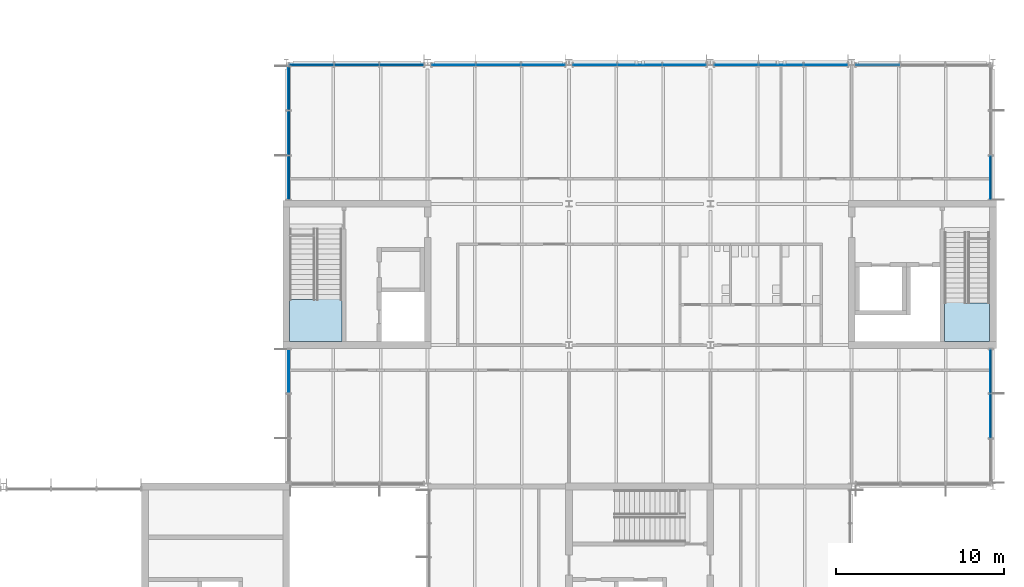
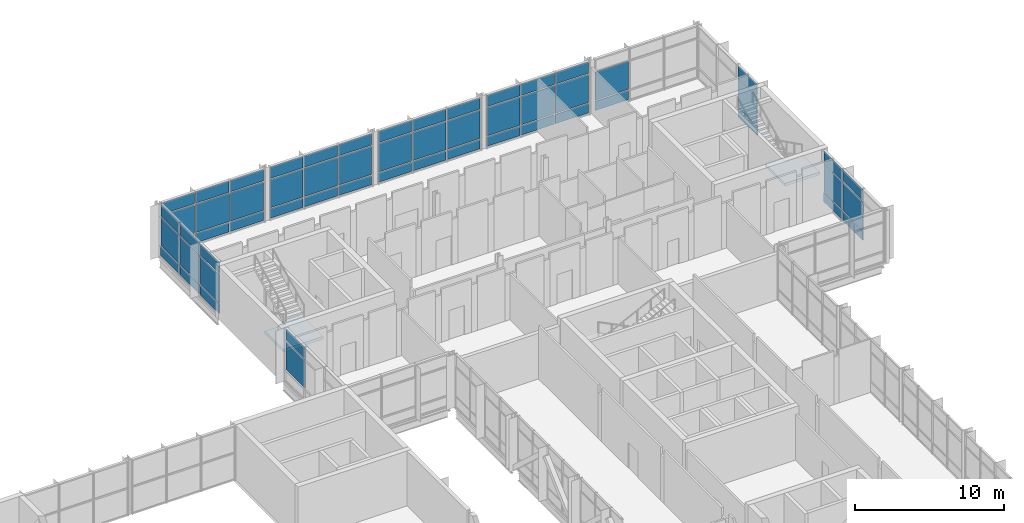
# One storey, part 45 of 89: 58 plates, 2 slabs, 11 elements without a shape of their own.
"""IFC4 building model written with IfcOpenShell, lengths in metres."""

import ifcopenshell
import ifcopenshell.guid

model = None  # the IFC model being written
_history = None  # IfcOwnerHistory: only IFC2X3 demands one
_inside = {}  # id of a spatial element -> (the spatial element, [elements in it])
_under = {}  # id of a project, library or spatial element -> (it, [spatial elements below it])
_declared = {}  # id of a project -> (the project, [libraries it declares])
_typed = {}  # id of a type object -> (the type object, [elements of that type])
_made_of = {}  # id of a material, layer set ... -> (it, [elements and type objects made of it])


def new_model(schema):
    """Start an empty IFC model of exactly this schema.

    Asked for "IFC4X3", IfcOpenShell would pick the latest addendum, in which some entities
    have other attributes; the version numbers below select the first issue.
    IFC2X3 requires an IfcOwnerHistory on every rooted entity: one is made here for all.
    """
    global model, _history
    if schema == "IFC4X3":
        model = ifcopenshell.file(schema_version=(4, 3, 0, 0))
    else:
        model = ifcopenshell.file(schema=schema)
    _inside.clear()
    _under.clear()
    _declared.clear()
    _typed.clear()
    _made_of.clear()
    _history = None
    if model.schema == "IFC2X3":
        org = make("IfcOrganization", Name="unknown")
        user = make(
            "IfcPersonAndOrganization",
            ThePerson=make("IfcPerson", FamilyName="unknown"),
            TheOrganization=org,
        )
        app = make(
            "IfcApplication",
            ApplicationDeveloper=org,
            Version="unknown",
            ApplicationFullName="unknown",
            ApplicationIdentifier="unknown",
        )
        _history = make(
            "IfcOwnerHistory",
            OwningUser=user,
            OwningApplication=app,
            ChangeAction="ADDED",
            CreationDate=0,
        )
    return model


def make(cls, **values):
    """One entity of the class cls with the attributes given. An attribute that is None is left unset."""
    return model.create_entity(
        cls, **{name: value for name, value in values.items() if value is not None}
    )


def rooted(cls, **values):
    """An entity with a GlobalId (a new one), such as an element, a storey or a relation."""
    return make(cls, GlobalId=ifcopenshell.guid.new(), OwnerHistory=_history, **values)


def si_unit(unit_type, name, prefix=None):
    """IfcSIUnit, for example si_unit("LENGTHUNIT", "METRE", prefix="MILLI")."""
    return make("IfcSIUnit", UnitType=unit_type, Prefix=prefix, Name=name)


def assignment(units):
    """IfcUnitAssignment: the units of a project."""
    return None if units is None else make("IfcUnitAssignment", Units=units)


def point(xyz):
    """IfcCartesianPoint."""
    return None if xyz is None else make("IfcCartesianPoint", Coordinates=xyz)


def direction(xyz):
    """IfcDirection."""
    return None if xyz is None else make("IfcDirection", DirectionRatios=xyz)


def frame(location, z_axis=None, x_axis=None):
    """IfcAxis2Placement3D, a coordinate frame: its origin and axes. An axis left out is left unset."""
    return make(
        "IfcAxis2Placement3D",
        Location=point(location),
        Axis=direction(z_axis),
        RefDirection=direction(x_axis),
    )


def frame_2d(location, x_axis=None):
    """IfcAxis2Placement2D, a coordinate frame in the plane: its origin and x axis."""
    return make(
        "IfcAxis2Placement2D", Location=point(location), RefDirection=direction(x_axis)
    )


def origin():
    """The frame at (0, 0, 0) with its axes left unset."""
    return frame((0.0, 0.0, 0.0))


def origin_2d():
    """The frame at (0, 0) in the plane with its x axis left unset."""
    return frame_2d((0.0, 0.0))


def place(relative_to, where):
    """IfcLocalPlacement: puts the frame where relative to a parent placement (None: the world)."""
    return make(
        "IfcLocalPlacement", PlacementRelTo=relative_to, RelativePlacement=where
    )


def context(
    kind, dimensions, precision=None, world=None, true_north=None, identifier=None
):
    """IfcGeometricRepresentationContext, for example the 3D "Model" context."""
    return make(
        "IfcGeometricRepresentationContext",
        ContextIdentifier=identifier,
        ContextType=kind,
        CoordinateSpaceDimension=dimensions,
        Precision=precision,
        WorldCoordinateSystem=world,
        TrueNorth=true_north,
    )


def subcontext(parent, identifier, kind, view, scale=None):
    """IfcGeometricRepresentationSubContext, for example "Body" below "Model"."""
    return make(
        "IfcGeometricRepresentationSubContext",
        ContextIdentifier=identifier,
        ContextType=kind,
        ParentContext=parent,
        TargetScale=scale,
        TargetView=view,
    )


def project(units=None, contexts=None):
    """IfcProject with its units and contexts."""
    return rooted(
        "IfcProject",
        Name="project",
        RepresentationContexts=contexts,
        UnitsInContext=assignment(units),
    )


def spatial(cls, under=None, at=None, **own):
    """A site, building, storey or space (cls), placed at a placement, below another one or the project."""
    s = rooted(cls, ObjectPlacement=at, **own)
    if under is not None:
        _under.setdefault(under.id(), (under, []))[1].append(s)
    return s


def polyline(points):
    """IfcPolyline through the points."""
    return make("IfcPolyline", Points=[point(p) for p in points])


def profile(cls, at=None, kind="AREA", **sizes):
    """A parametric profile (cls). Its sizes go by their IFC names, for example OverallWidth=200.0."""
    return make(cls, ProfileType=kind, Position=at, **sizes)


def rectangle(**sizes):
    """IfcRectangleProfileDef."""
    return profile("IfcRectangleProfileDef", **sizes)


def outline(outer, holes=None, kind="AREA"):
    """IfcArbitraryClosedProfileDef: a profile drawn as a closed curve; with holes, ...WithVoids."""
    if holes is None:
        return make("IfcArbitraryClosedProfileDef", ProfileType=kind, OuterCurve=outer)
    return make(
        "IfcArbitraryProfileDefWithVoids",
        ProfileType=kind,
        OuterCurve=outer,
        InnerCurves=holes,
    )


def extrude(swept, where, along, depth):
    """IfcExtrudedAreaSolid: the profile swept, set in the frame where, extruded along a direction by depth."""
    return make(
        "IfcExtrudedAreaSolid",
        SweptArea=swept,
        Position=where,
        ExtrudedDirection=direction(along),
        Depth=depth,
    )


def shape(context_of_items, identifier, shape_type, items):
    """IfcShapeRepresentation: the items that make up one representation, for example the "Body"."""
    return make(
        "IfcShapeRepresentation",
        ContextOfItems=context_of_items,
        RepresentationIdentifier=identifier,
        RepresentationType=shape_type,
        Items=items,
    )


def material(Name=None, Category=None):
    """IfcMaterial."""
    return make("IfcMaterial", Name=Name, Category=Category)


def layer(
    of_material, thickness, ventilated=None, Name=None, Category=None, Priority=None
):
    """IfcMaterialLayer: one layer of a wall or slab, of a material (None: an air gap)."""
    return make(
        "IfcMaterialLayer",
        Material=of_material,
        LayerThickness=thickness,
        IsVentilated=ventilated,
        Name=Name,
        Category=Category,
        Priority=Priority,
    )


def layer_set(layers, Name=None):
    """IfcMaterialLayerSet."""
    return make("IfcMaterialLayerSet", MaterialLayers=layers, LayerSetName=Name)


def made_of(thing, what):
    """Note that an element or type object is made of a material, layer set ...; save() writes the relation."""
    if what is not None:
        _made_of.setdefault(what.id(), (what, []))[1].append(thing)
    return thing


def type_object(cls, material=None, **own):
    """A type object (cls), such as IfcWallType, which elements share."""
    return made_of(rooted(cls, **own), material)


def element(
    cls,
    number,
    at=None,
    inside=None,
    cuts=None,
    type_object=None,
    material=None,
    context=None,
    identifier="Body",
    shape_type=None,
    held_by="IfcProductDefinitionShape",
    body=None,
    shapes=None,
    **own,
):
    """One element of the class cls, such as IfcWall. Its Tag is "e" and its number.

    at: its placement. inside: the storey or other place that contains it. cuts: it is an
    opening in that element (IfcRelVoidsElement). A single representation is given by context,
    identifier, shape_type and body (its items); several are given by shapes. held_by: the class
    of the entity that holds the representations. save() writes the other relations.
    """
    e = rooted(cls, Tag="e%d" % number, ObjectPlacement=at, **own)
    if body is not None:
        shapes = [shape(context, identifier, shape_type, body)]
    if shapes is not None:
        e.Representation = make(held_by, Representations=shapes)
    if inside is not None:
        _inside.setdefault(inside.id(), (inside, []))[1].append(e)
    if cuts is not None:
        rooted(
            "IfcRelVoidsElement", RelatingBuildingElement=cuts, RelatedOpeningElement=e
        )
    if type_object is not None:
        _typed.setdefault(type_object.id(), (type_object, []))[1].append(e)
    return made_of(e, material)


def aggregate(whole, parts):
    """IfcRelAggregates: a whole, such as a stair, and the parts it consists of."""
    return rooted("IfcRelAggregates", RelatingObject=whole, RelatedObjects=parts)


def save(model, path):
    """Write the relations noted so far, then the file.

    IfcRelAggregates (storeys below a building ...), IfcRelContainedInSpatialStructure (elements
    in a storey), IfcRelDefinesByType, IfcRelAssociatesMaterial and IfcRelDeclares: one each for
    every whole, place, type object, material and project.
    """
    for whole, parts in _under.values():
        aggregate(whole, parts)
    for where, things in _inside.values():
        rooted(
            "IfcRelContainedInSpatialStructure",
            RelatedElements=things,
            RelatingStructure=where,
        )
    for kind, things in _typed.values():
        rooted("IfcRelDefinesByType", RelatedObjects=things, RelatingType=kind)
    for what, things in _made_of.values():
        rooted("IfcRelAssociatesMaterial", RelatedObjects=things, RelatingMaterial=what)
    for by, libraries in _declared.values():
        rooted("IfcRelDeclares", RelatingContext=by, RelatedDefinitions=libraries)
    model.write(path)


model = new_model("IFC4")

# Units and contexts
model_context = context("Model", 3, precision=1e-05, world=origin(), true_north=direction((0.0, 1.0)))
body_context = subcontext(model_context, "Body", "Model", "MODEL_VIEW")
ifc_project = project(units=[si_unit("LENGTHUNIT", "METRE"), si_unit("AREAUNIT", "SQUARE_METRE"), si_unit("VOLUMEUNIT", "CUBIC_METRE"), si_unit("PLANEANGLEUNIT", "RADIAN"), si_unit("MASSUNIT", "GRAM", prefix="KILO")], contexts=[model_context])

# Site, building, storey
site_placement = place(None, origin())
site = spatial("IfcSite", under=ifc_project, at=site_placement, CompositionType="ELEMENT")
building_placement = place(site_placement, origin())
building = spatial("IfcBuilding", under=site, at=building_placement, Name="Hlaing Beacon Police Headquarters", CompositionType="ELEMENT")
storey_placement = place(building_placement, frame((0.0, 0.0, 9.89990234375)))
storey = spatial("IfcBuildingStorey", under=building, at=storey_placement, Name="L02", CompositionType="ELEMENT", Elevation=9.89990234375)

# Curtain wall, plate
ifc_material_1 = material(Name="Aluminium frame with solar control glazing", Category="aluminium")
curtain_wall_type_1 = type_object("IfcCurtainWallType", Name="Structural glazed gable wall 8.06 x 4.37", PredefinedType="NOTDEFINED", material=ifc_material_1)
curtain_wall_1_placement = place(storey_placement, origin())
curtain_wall_1 = element("IfcCurtainWall", 1, at=curtain_wall_1_placement, inside=storey, type_object=curtain_wall_type_1, Name="ENV-CW-L02-N022", PredefinedType="NOTDEFINED")
ifc_material_2 = material(Name="Insulated aluminium spandrel", Category="aluminium")
ifc_layer_1 = layer(ifc_material_2, 0.0400390625)
ifc_layer_set_1 = layer_set([ifc_layer_1], Name="Insulated aluminium spandrel")
plate_type_1 = type_object("IfcPlateType", Name="Insulated spandrel panel 40", PredefinedType="CURTAIN_PANEL", material=ifc_layer_set_1)
plate_1_placement = place(storey_placement, frame((127.549560546875, 92.25, 0.10009765625), z_axis=(0.0, 0.0, 1.0), x_axis=(-1.0, 0.0, 0.0)))
plate_1 = element("IfcPlate", 2, at=plate_1_placement, type_object=plate_type_1, Name="CW-L02-N022 panel 3.1", PredefinedType="CURTAIN_PANEL", context=body_context, shape_type="SweptSolid", body=[
    extrude(rectangle(XDim=2.568115234375, YDim=0.0400390625, at=origin_2d()), origin(), (0.0, 0.0, 1.0), 0.75),
])

# Curtain wall, plates
ifc_material_3 = material(Name="Aluminium frame with solar control glazing", Category="aluminium")
curtain_wall_type_2 = type_object("IfcCurtainWallType", Name="Structural glazed gable wall 8.03 x 4.37", PredefinedType="NOTDEFINED", material=ifc_material_3)
curtain_wall_2_placement = place(storey_placement, origin())
curtain_wall_2 = element("IfcCurtainWall", 3, at=curtain_wall_2_placement, inside=storey, type_object=curtain_wall_type_2, Name="ENV-CW-L02-N023", PredefinedType="NOTDEFINED")
plate_2_placement = place(storey_placement, frame((124.456298828125, 92.25, 0.10009765625), z_axis=(0.0, 0.0, 1.0), x_axis=(-1.0, 0.0, 0.0)))
plate_2 = element("IfcPlate", 4, at=plate_2_placement, type_object=plate_type_1, Name="CW-L02-N023 panel 1.1", PredefinedType="CURTAIN_PANEL", context=body_context, shape_type="SweptSolid", body=[
    extrude(rectangle(XDim=2.556396484375, YDim=0.0400390625, at=origin_2d()), origin(), (0.0, 0.0, 1.0), 0.75),
])
plate_3_placement = place(storey_placement, frame((121.800048828125, 92.25, 0.10009765625), z_axis=(0.0, 0.0, 1.0), x_axis=(-1.0, 0.0, 0.0)))
plate_3 = element("IfcPlate", 5, at=plate_3_placement, type_object=plate_type_1, Name="CW-L02-N023 panel 2.1", PredefinedType="CURTAIN_PANEL", context=body_context, shape_type="SweptSolid", body=[
    extrude(rectangle(XDim=2.596435546875, YDim=0.0400390625, at=origin_2d()), origin(), (0.0, 0.0, 1.0), 0.75),
])
plate_4_placement = place(storey_placement, frame((119.1435546875, 92.25, 0.10009765625), z_axis=(0.0, 0.0, 1.0), x_axis=(-1.0, 0.0, 0.0)))
plate_4 = element("IfcPlate", 6, at=plate_4_placement, type_object=plate_type_1, Name="CW-L02-N023 panel 3.1", PredefinedType="CURTAIN_PANEL", context=body_context, shape_type="SweptSolid", body=[
    extrude(rectangle(XDim=2.556396484375, YDim=0.0400390625, at=origin_2d()), origin(), (0.0, 0.0, 1.0), 0.75),
])

curtain_wall_3_placement = place(storey_placement, origin())
curtain_wall_3 = element("IfcCurtainWall", 7, at=curtain_wall_3_placement, inside=storey, type_object=curtain_wall_type_2, Name="ENV-CW-L02-N024", PredefinedType="NOTDEFINED")
plate_5_placement = place(storey_placement, frame((116.056396484375, 92.25, 0.10009765625), z_axis=(0.0, 0.0, 1.0), x_axis=(-1.0, 0.0, 0.0)))
plate_5 = element("IfcPlate", 8, at=plate_5_placement, type_object=plate_type_1, Name="CW-L02-N024 panel 1.1", PredefinedType="CURTAIN_PANEL", context=body_context, shape_type="SweptSolid", body=[
    extrude(rectangle(XDim=2.556396484375, YDim=0.0400390625, at=origin_2d()), origin(), (0.0, 0.0, 1.0), 0.75),
])
plate_6_placement = place(storey_placement, frame((113.39990234375, 92.25, 0.10009765625), z_axis=(0.0, 0.0, 1.0), x_axis=(-1.0, 0.0, 0.0)))
plate_6 = element("IfcPlate", 9, at=plate_6_placement, type_object=plate_type_1, Name="CW-L02-N024 panel 2.1", PredefinedType="CURTAIN_PANEL", context=body_context, shape_type="SweptSolid", body=[
    extrude(rectangle(XDim=2.596435546875, YDim=0.0400390625, at=origin_2d()), origin(), (0.0, 0.0, 1.0), 0.75),
])
plate_7_placement = place(storey_placement, frame((110.74365234375, 92.25, 0.10009765625), z_axis=(0.0, 0.0, 1.0), x_axis=(-1.0, 0.0, 0.0)))
plate_7 = element("IfcPlate", 10, at=plate_7_placement, type_object=plate_type_1, Name="CW-L02-N024 panel 3.1", PredefinedType="CURTAIN_PANEL", context=body_context, shape_type="SweptSolid", body=[
    extrude(rectangle(XDim=2.556396484375, YDim=0.0400390625, at=origin_2d()), origin(), (0.0, 0.0, 1.0), 0.75),
])

curtain_wall_4_placement = place(storey_placement, origin())
curtain_wall_4 = element("IfcCurtainWall", 11, at=curtain_wall_4_placement, inside=storey, type_object=curtain_wall_type_2, Name="ENV-CW-L02-N025", PredefinedType="NOTDEFINED")
plate_8_placement = place(storey_placement, frame((107.65625, 92.25, 0.10009765625), z_axis=(0.0, 0.0, 1.0), x_axis=(-1.0, 0.0, 0.0)))
plate_8 = element("IfcPlate", 12, at=plate_8_placement, type_object=plate_type_1, Name="CW-L02-N025 panel 1.1", PredefinedType="CURTAIN_PANEL", context=body_context, shape_type="SweptSolid", body=[
    extrude(rectangle(XDim=2.556884765625, YDim=0.0400390625, at=origin_2d()), origin(), (0.0, 0.0, 1.0), 0.75),
])
plate_9_placement = place(storey_placement, frame((104.999267578125, 92.25, 0.10009765625), z_axis=(0.0, 0.0, 1.0), x_axis=(-1.0, 0.0, 0.0)))
plate_9 = element("IfcPlate", 13, at=plate_9_placement, type_object=plate_type_1, Name="CW-L02-N025 panel 2.1", PredefinedType="CURTAIN_PANEL", context=body_context, shape_type="SweptSolid", body=[
    extrude(rectangle(XDim=2.596923828125, YDim=0.0400390625, at=origin_2d()), origin(), (0.0, 0.0, 1.0), 0.75),
])
plate_10_placement = place(storey_placement, frame((102.342529296875, 92.25, 0.10009765625), z_axis=(0.0, 0.0, 1.0), x_axis=(-1.0, 0.0, 0.0)))
plate_10 = element("IfcPlate", 14, at=plate_10_placement, type_object=plate_type_1, Name="CW-L02-N025 panel 3.1", PredefinedType="CURTAIN_PANEL", context=body_context, shape_type="SweptSolid", body=[
    extrude(rectangle(XDim=2.556884765625, YDim=0.0400390625, at=origin_2d()), origin(), (0.0, 0.0, 1.0), 0.75),
])

ifc_material_4 = material(Name="Aluminium frame with solar control glazing", Category="aluminium")
curtain_wall_type_3 = type_object("IfcCurtainWallType", Name="Structural glazed gable wall 8.09 x 4.37", PredefinedType="NOTDEFINED", material=ifc_material_4)
curtain_wall_5_placement = place(storey_placement, origin())
curtain_wall_5 = element("IfcCurtainWall", 15, at=curtain_wall_5_placement, inside=storey, type_object=curtain_wall_type_3, Name="ENV-CW-L02-N026", PredefinedType="NOTDEFINED")
plate_11_placement = place(storey_placement, frame((99.24755859375, 92.25, 0.10009765625), z_axis=(0.0, 0.0, 1.0), x_axis=(-1.0, 0.0, 0.0)))
plate_11 = element("IfcPlate", 16, at=plate_11_placement, type_object=plate_type_1, Name="CW-L02-N026 panel 1.1", PredefinedType="CURTAIN_PANEL", context=body_context, shape_type="SweptSolid", body=[
    extrude(rectangle(XDim=2.576171875, YDim=0.0400390625, at=origin_2d()), origin(), (0.0, 0.0, 1.0), 0.75),
])
plate_12_placement = place(storey_placement, frame((96.5712890625, 92.25, 0.10009765625), z_axis=(0.0, 0.0, 1.0), x_axis=(-1.0, 0.0, 0.0)))
plate_12 = element("IfcPlate", 17, at=plate_12_placement, type_object=plate_type_1, Name="CW-L02-N026 panel 2.1", PredefinedType="CURTAIN_PANEL", context=body_context, shape_type="SweptSolid", body=[
    extrude(rectangle(XDim=2.6162109375, YDim=0.0400390625, at=origin_2d()), origin(), (0.0, 0.0, 1.0), 0.75),
])
plate_13_placement = place(storey_placement, frame((93.89501953125, 92.25, 0.10009765625), z_axis=(0.0, 0.0, 1.0), x_axis=(-1.0, 0.0, 0.0)))
plate_13 = element("IfcPlate", 18, at=plate_13_placement, type_object=plate_type_1, Name="CW-L02-N026 panel 3.1", PredefinedType="CURTAIN_PANEL", context=body_context, shape_type="SweptSolid", body=[
    extrude(rectangle(XDim=2.576171875, YDim=0.0400390625, at=origin_2d()), origin(), (0.0, 0.0, 1.0), 0.75),
])

ifc_material_5 = material(Name="Aluminium frame with solar control glazing", Category="aluminium")
curtain_wall_type_4 = type_object("IfcCurtainWallType", Name="Structural glazed gable wall 8.02 x 4.37", PredefinedType="NOTDEFINED", material=ifc_material_5)
curtain_wall_6_placement = place(storey_placement, origin())
curtain_wall_6 = element("IfcCurtainWall", 19, at=curtain_wall_6_placement, inside=storey, type_object=curtain_wall_type_4, Name="ENV-CW-L02-E020", PredefinedType="NOTDEFINED")
ifc_material_6 = material(Name="Insulated aluminium spandrel", Category="aluminium")
ifc_layer_2 = layer(ifc_material_6, 0.06005859375)
ifc_layer_set_2 = layer_set([ifc_layer_2], Name="Insulated aluminium spandrel")
plate_type_2 = type_object("IfcPlateType", Name="Insulated spandrel panel 60", PredefinedType="CURTAIN_PANEL", material=ifc_layer_set_2)
plate_14_placement = place(storey_placement, frame((134.25, 71.388916015625, 0.10009765625), z_axis=(0.0, 0.0, 1.0), x_axis=(0.0, 1.0, 0.0)))
plate_14 = element("IfcPlate", 20, at=plate_14_placement, type_object=plate_type_2, Name="CW-L02-E020 panel 2.1", PredefinedType="CURTAIN_PANEL", context=body_context, shape_type="SweptSolid", body=[
    extrude(rectangle(XDim=2.593994140625, YDim=0.06005859375, at=origin_2d()), origin(), (0.0, 0.0, 1.0), 0.75),
])
plate_15_placement = place(storey_placement, frame((134.25, 74.04296875, 0.10009765625), z_axis=(0.0, 0.0, 1.0), x_axis=(0.0, 1.0, 0.0)))
plate_15 = element("IfcPlate", 21, at=plate_15_placement, type_object=plate_type_2, Name="CW-L02-E020 panel 3.1", PredefinedType="CURTAIN_PANEL", context=body_context, shape_type="SweptSolid", body=[
    extrude(rectangle(XDim=2.553955078125, YDim=0.06005859375, at=origin_2d()), origin(), (0.0, 0.0, 1.0), 0.75),
])

# Curtain wall, plate
curtain_wall_7_placement = place(storey_placement, origin())
curtain_wall_7 = element("IfcCurtainWall", 22, at=curtain_wall_7_placement, inside=storey, type_object=curtain_wall_type_4, Name="ENV-CW-L02-E021", PredefinedType="NOTDEFINED")
plate_16_placement = place(storey_placement, frame((134.25, 85.55712890625, 0.10009765625), z_axis=(0.0, 0.0, 1.0), x_axis=(0.0, 1.0, 0.0)))
plate_16 = element("IfcPlate", 23, at=plate_16_placement, type_object=plate_type_2, Name="CW-L02-E021 panel 1.1", PredefinedType="CURTAIN_PANEL", context=body_context, shape_type="SweptSolid", body=[
    extrude(rectangle(XDim=2.553955078125, YDim=0.06005859375, at=origin_2d()), origin(), (0.0, 0.0, 1.0), 0.75),
])

# Curtain wall, plates
curtain_wall_8_placement = place(storey_placement, origin())
curtain_wall_8 = element("IfcCurtainWall", 24, at=curtain_wall_8_placement, inside=storey, type_object=curtain_wall_type_4, Name="ENV-CW-L02-W027", PredefinedType="NOTDEFINED")
ifc_material_7 = material(Name="Insulated aluminium spandrel", Category="aluminium")
ifc_layer_3 = layer(ifc_material_7, 0.080078125)
ifc_layer_set_3 = layer_set([ifc_layer_3], Name="Insulated aluminium spandrel")
plate_type_3 = type_object("IfcPlateType", Name="Insulated spandrel panel 80", PredefinedType="CURTAIN_PANEL", material=ifc_layer_set_3)
plate_17_placement = place(storey_placement, frame((92.550048828125, 90.865234375, 0.10009765625), z_axis=(0.0, 0.0, 1.0), x_axis=(0.0, -1.0, 0.0)))
plate_17 = element("IfcPlate", 25, at=plate_17_placement, type_object=plate_type_3, Name="CW-L02-W027 panel 1.1", PredefinedType="CURTAIN_PANEL", context=body_context, shape_type="SweptSolid", body=[
    extrude(rectangle(XDim=2.553955078125, YDim=0.080078125, at=origin_2d()), origin(), (0.0, 0.0, 1.0), 0.75),
])
plate_18_placement = place(storey_placement, frame((92.550048828125, 88.211181640625, 0.10009765625), z_axis=(0.0, 0.0, 1.0), x_axis=(0.0, -1.0, 0.0)))
plate_18 = element("IfcPlate", 26, at=plate_18_placement, type_object=plate_type_3, Name="CW-L02-W027 panel 2.1", PredefinedType="CURTAIN_PANEL", context=body_context, shape_type="SweptSolid", body=[
    extrude(rectangle(XDim=2.593994140625, YDim=0.080078125, at=origin_2d()), origin(), (0.0, 0.0, 1.0), 0.75),
])
plate_19_placement = place(storey_placement, frame((92.550048828125, 85.55712890625, 0.10009765625), z_axis=(0.0, 0.0, 1.0), x_axis=(0.0, -1.0, 0.0)))
plate_19 = element("IfcPlate", 27, at=plate_19_placement, type_object=plate_type_3, Name="CW-L02-W027 panel 3.1", PredefinedType="CURTAIN_PANEL", context=body_context, shape_type="SweptSolid", body=[
    extrude(rectangle(XDim=2.553955078125, YDim=0.080078125, at=origin_2d()), origin(), (0.0, 0.0, 1.0), 0.75),
])

# Plate
ifc_material_8 = material(Name="Laminated solar control glazing", Category="glass")
ifc_layer_4 = layer(ifc_material_8, 0.031982421875)
ifc_layer_set_4 = layer_set([ifc_layer_4], Name="Laminated solar control glazing")
plate_type_4 = type_object("IfcPlateType", Name="Laminated glazing panel 32", PredefinedType="CURTAIN_PANEL", material=ifc_layer_set_4)
plate_20_placement = place(storey_placement, frame((134.25, 71.388916015625, 3.35009765625), z_axis=(0.0, 0.0, 1.0), x_axis=(0.0, 1.0, 0.0)))
plate_20 = element("IfcPlate", 28, at=plate_20_placement, type_object=plate_type_4, Name="CW-L02-E020 panel 2.3", PredefinedType="CURTAIN_PANEL", context=body_context, shape_type="SweptSolid", body=[
    extrude(rectangle(XDim=2.593994140625, YDim=0.031982421875, at=origin_2d()), origin(), (0.0, 0.0, 1.0), 0.919921875),
])

plate_21_placement = place(storey_placement, frame((134.25, 74.04296875, 3.35009765625), z_axis=(0.0, 0.0, 1.0), x_axis=(0.0, 1.0, 0.0)))
plate_21 = element("IfcPlate", 29, at=plate_21_placement, type_object=plate_type_4, Name="CW-L02-E020 panel 3.3", PredefinedType="CURTAIN_PANEL", context=body_context, shape_type="SweptSolid", body=[
    extrude(rectangle(XDim=2.553955078125, YDim=0.031982421875, at=origin_2d()), origin(), (0.0, 0.0, 1.0), 0.919921875),
])

plate_22_placement = place(storey_placement, frame((134.25, 85.55712890625, 3.35009765625), z_axis=(0.0, 0.0, 1.0), x_axis=(0.0, 1.0, 0.0)))
plate_22 = element("IfcPlate", 30, at=plate_22_placement, type_object=plate_type_4, Name="CW-L02-E021 panel 1.3", PredefinedType="CURTAIN_PANEL", context=body_context, shape_type="SweptSolid", body=[
    extrude(rectangle(XDim=2.553955078125, YDim=0.031982421875, at=origin_2d()), origin(), (0.0, 0.0, 1.0), 0.919921875),
])

plate_23_placement = place(storey_placement, frame((124.456298828125, 92.25, 3.35009765625), z_axis=(0.0, 0.0, 1.0), x_axis=(-1.0, 0.0, 0.0)))
plate_23 = element("IfcPlate", 31, at=plate_23_placement, type_object=plate_type_4, Name="CW-L02-N023 panel 1.3", PredefinedType="CURTAIN_PANEL", context=body_context, shape_type="SweptSolid", body=[
    extrude(rectangle(XDim=2.556396484375, YDim=0.031982421875, at=origin_2d()), origin(), (0.0, 0.0, 1.0), 0.919921875),
])

plate_24_placement = place(storey_placement, frame((121.800048828125, 92.25, 3.35009765625), z_axis=(0.0, 0.0, 1.0), x_axis=(-1.0, 0.0, 0.0)))
plate_24 = element("IfcPlate", 32, at=plate_24_placement, type_object=plate_type_4, Name="CW-L02-N023 panel 2.3", PredefinedType="CURTAIN_PANEL", context=body_context, shape_type="SweptSolid", body=[
    extrude(rectangle(XDim=2.596435546875, YDim=0.031982421875, at=origin_2d()), origin(), (0.0, 0.0, 1.0), 0.919921875),
])

plate_25_placement = place(storey_placement, frame((119.1435546875, 92.25, 3.35009765625), z_axis=(0.0, 0.0, 1.0), x_axis=(-1.0, 0.0, 0.0)))
plate_25 = element("IfcPlate", 33, at=plate_25_placement, type_object=plate_type_4, Name="CW-L02-N023 panel 3.3", PredefinedType="CURTAIN_PANEL", context=body_context, shape_type="SweptSolid", body=[
    extrude(rectangle(XDim=2.556396484375, YDim=0.031982421875, at=origin_2d()), origin(), (0.0, 0.0, 1.0), 0.919921875),
])

plate_26_placement = place(storey_placement, frame((116.056396484375, 92.25, 3.35009765625), z_axis=(0.0, 0.0, 1.0), x_axis=(-1.0, 0.0, 0.0)))
plate_26 = element("IfcPlate", 34, at=plate_26_placement, type_object=plate_type_4, Name="CW-L02-N024 panel 1.3", PredefinedType="CURTAIN_PANEL", context=body_context, shape_type="SweptSolid", body=[
    extrude(rectangle(XDim=2.556396484375, YDim=0.031982421875, at=origin_2d()), origin(), (0.0, 0.0, 1.0), 0.919921875),
])

plate_27_placement = place(storey_placement, frame((113.39990234375, 92.25, 3.35009765625), z_axis=(0.0, 0.0, 1.0), x_axis=(-1.0, 0.0, 0.0)))
plate_27 = element("IfcPlate", 35, at=plate_27_placement, type_object=plate_type_4, Name="CW-L02-N024 panel 2.3", PredefinedType="CURTAIN_PANEL", context=body_context, shape_type="SweptSolid", body=[
    extrude(rectangle(XDim=2.596435546875, YDim=0.031982421875, at=origin_2d()), origin(), (0.0, 0.0, 1.0), 0.919921875),
])

plate_28_placement = place(storey_placement, frame((110.74365234375, 92.25, 3.35009765625), z_axis=(0.0, 0.0, 1.0), x_axis=(-1.0, 0.0, 0.0)))
plate_28 = element("IfcPlate", 36, at=plate_28_placement, type_object=plate_type_4, Name="CW-L02-N024 panel 3.3", PredefinedType="CURTAIN_PANEL", context=body_context, shape_type="SweptSolid", body=[
    extrude(rectangle(XDim=2.556396484375, YDim=0.031982421875, at=origin_2d()), origin(), (0.0, 0.0, 1.0), 0.919921875),
])

plate_29_placement = place(storey_placement, frame((107.65625, 92.25, 3.35009765625), z_axis=(0.0, 0.0, 1.0), x_axis=(-1.0, 0.0, 0.0)))
plate_29 = element("IfcPlate", 37, at=plate_29_placement, type_object=plate_type_4, Name="CW-L02-N025 panel 1.3", PredefinedType="CURTAIN_PANEL", context=body_context, shape_type="SweptSolid", body=[
    extrude(rectangle(XDim=2.556884765625, YDim=0.031982421875, at=origin_2d()), origin(), (0.0, 0.0, 1.0), 0.919921875),
])

plate_30_placement = place(storey_placement, frame((104.999267578125, 92.25, 3.35009765625), z_axis=(0.0, 0.0, 1.0), x_axis=(-1.0, 0.0, 0.0)))
plate_30 = element("IfcPlate", 38, at=plate_30_placement, type_object=plate_type_4, Name="CW-L02-N025 panel 2.3", PredefinedType="CURTAIN_PANEL", context=body_context, shape_type="SweptSolid", body=[
    extrude(rectangle(XDim=2.596923828125, YDim=0.031982421875, at=origin_2d()), origin(), (0.0, 0.0, 1.0), 0.919921875),
])

plate_31_placement = place(storey_placement, frame((102.342529296875, 92.25, 3.35009765625), z_axis=(0.0, 0.0, 1.0), x_axis=(-1.0, 0.0, 0.0)))
plate_31 = element("IfcPlate", 39, at=plate_31_placement, type_object=plate_type_4, Name="CW-L02-N025 panel 3.3", PredefinedType="CURTAIN_PANEL", context=body_context, shape_type="SweptSolid", body=[
    extrude(rectangle(XDim=2.556884765625, YDim=0.031982421875, at=origin_2d()), origin(), (0.0, 0.0, 1.0), 0.919921875),
])

plate_32_placement = place(storey_placement, frame((99.24755859375, 92.25, 3.35009765625), z_axis=(0.0, 0.0, 1.0), x_axis=(-1.0, 0.0, 0.0)))
plate_32 = element("IfcPlate", 40, at=plate_32_placement, type_object=plate_type_4, Name="CW-L02-N026 panel 1.3", PredefinedType="CURTAIN_PANEL", context=body_context, shape_type="SweptSolid", body=[
    extrude(rectangle(XDim=2.576171875, YDim=0.031982421875, at=origin_2d()), origin(), (0.0, 0.0, 1.0), 0.919921875),
])

plate_33_placement = place(storey_placement, frame((96.5712890625, 92.25, 3.35009765625), z_axis=(0.0, 0.0, 1.0), x_axis=(-1.0, 0.0, 0.0)))
plate_33 = element("IfcPlate", 41, at=plate_33_placement, type_object=plate_type_4, Name="CW-L02-N026 panel 2.3", PredefinedType="CURTAIN_PANEL", context=body_context, shape_type="SweptSolid", body=[
    extrude(rectangle(XDim=2.6162109375, YDim=0.031982421875, at=origin_2d()), origin(), (0.0, 0.0, 1.0), 0.919921875),
])

plate_34_placement = place(storey_placement, frame((93.89501953125, 92.25, 3.35009765625), z_axis=(0.0, 0.0, 1.0), x_axis=(-1.0, 0.0, 0.0)))
plate_34 = element("IfcPlate", 42, at=plate_34_placement, type_object=plate_type_4, Name="CW-L02-N026 panel 3.3", PredefinedType="CURTAIN_PANEL", context=body_context, shape_type="SweptSolid", body=[
    extrude(rectangle(XDim=2.576171875, YDim=0.031982421875, at=origin_2d()), origin(), (0.0, 0.0, 1.0), 0.919921875),
])

plate_35_placement = place(storey_placement, frame((92.550048828125, 90.865234375, 3.35009765625), z_axis=(0.0, 0.0, 1.0), x_axis=(0.0, -1.0, 0.0)))
plate_35 = element("IfcPlate", 43, at=plate_35_placement, type_object=plate_type_4, Name="CW-L02-W027 panel 1.3", PredefinedType="CURTAIN_PANEL", context=body_context, shape_type="SweptSolid", body=[
    extrude(rectangle(XDim=2.553955078125, YDim=0.031982421875, at=origin_2d()), origin(), (0.0, 0.0, 1.0), 0.919921875),
])

plate_36_placement = place(storey_placement, frame((92.550048828125, 88.211181640625, 3.35009765625), z_axis=(0.0, 0.0, 1.0), x_axis=(0.0, -1.0, 0.0)))
plate_36 = element("IfcPlate", 44, at=plate_36_placement, type_object=plate_type_4, Name="CW-L02-W027 panel 2.3", PredefinedType="CURTAIN_PANEL", context=body_context, shape_type="SweptSolid", body=[
    extrude(rectangle(XDim=2.593994140625, YDim=0.031982421875, at=origin_2d()), origin(), (0.0, 0.0, 1.0), 0.919921875),
])

plate_37_placement = place(storey_placement, frame((92.550048828125, 85.55712890625, 3.35009765625), z_axis=(0.0, 0.0, 1.0), x_axis=(0.0, -1.0, 0.0)))
plate_37 = element("IfcPlate", 45, at=plate_37_placement, type_object=plate_type_4, Name="CW-L02-W027 panel 3.3", PredefinedType="CURTAIN_PANEL", context=body_context, shape_type="SweptSolid", body=[
    extrude(rectangle(XDim=2.553955078125, YDim=0.031982421875, at=origin_2d()), origin(), (0.0, 0.0, 1.0), 0.919921875),
])

# Curtain wall, plate
ifc_material_9 = material(Name="Aluminium frame with solar control glazing", Category="aluminium")
curtain_wall_type_5 = type_object("IfcCurtainWallType", Name="Structural glazed gable wall 8.00 x 4.37", PredefinedType="NOTDEFINED", material=ifc_material_9)
curtain_wall_9_placement = place(storey_placement, origin())
curtain_wall_9 = element("IfcCurtainWall", 46, at=curtain_wall_9_placement, inside=storey, type_object=curtain_wall_type_5, Name="ENV-CW-L02-W028", PredefinedType="NOTDEFINED")
plate_38_placement = place(storey_placement, frame((92.550048828125, 74.046630859375, 3.35009765625), z_axis=(0.0, 0.0, 1.0), x_axis=(0.0, -1.0, 0.0)))
plate_38 = element("IfcPlate", 47, at=plate_38_placement, type_object=plate_type_4, Name="CW-L02-W028 panel 1.3", PredefinedType="CURTAIN_PANEL", context=body_context, shape_type="SweptSolid", body=[
    extrude(rectangle(XDim=2.546630859375, YDim=0.031982421875, at=origin_2d()), origin(), (0.0, 0.0, 1.0), 0.919921875),
])

# Plate
ifc_material_10 = material(Name="Laminated solar control glazing", Category="glass")
ifc_layer_5 = layer(ifc_material_10, 0.0439453125)
ifc_layer_set_5 = layer_set([ifc_layer_5], Name="Laminated solar control glazing")
plate_type_5 = type_object("IfcPlateType", Name="Laminated glazing panel 44", PredefinedType="CURTAIN_PANEL", material=ifc_layer_set_5)
plate_39_placement = place(storey_placement, frame((134.25, 71.388916015625, 0.9501953125), z_axis=(0.0, 0.0, 1.0), x_axis=(0.0, 1.0, 0.0)))
plate_39 = element("IfcPlate", 48, at=plate_39_placement, type_object=plate_type_5, Name="CW-L02-E020 panel 2.2", PredefinedType="CURTAIN_PANEL", context=body_context, shape_type="SweptSolid", body=[
    extrude(rectangle(XDim=2.593994140625, YDim=0.0439453125, at=origin_2d()), origin(), (0.0, 0.0, 1.0), 2.300048828125),
])

plate_40_placement = place(storey_placement, frame((134.25, 74.04296875, 0.9501953125), z_axis=(0.0, 0.0, 1.0), x_axis=(0.0, 1.0, 0.0)))
plate_40 = element("IfcPlate", 49, at=plate_40_placement, type_object=plate_type_5, Name="CW-L02-E020 panel 3.2", PredefinedType="CURTAIN_PANEL", context=body_context, shape_type="SweptSolid", body=[
    extrude(rectangle(XDim=2.553955078125, YDim=0.0439453125, at=origin_2d()), origin(), (0.0, 0.0, 1.0), 2.300048828125),
])

aggregate(curtain_wall_6, [plate_14, plate_39, plate_20, plate_15, plate_40, plate_21])

plate_41_placement = place(storey_placement, frame((134.25, 85.55712890625, 0.9501953125), z_axis=(0.0, 0.0, 1.0), x_axis=(0.0, 1.0, 0.0)))
plate_41 = element("IfcPlate", 50, at=plate_41_placement, type_object=plate_type_5, Name="CW-L02-E021 panel 1.2", PredefinedType="CURTAIN_PANEL", context=body_context, shape_type="SweptSolid", body=[
    extrude(rectangle(XDim=2.553955078125, YDim=0.0439453125, at=origin_2d()), origin(), (0.0, 0.0, 1.0), 2.300048828125),
])

aggregate(curtain_wall_7, [plate_16, plate_41, plate_22])

plate_42_placement = place(storey_placement, frame((127.549560546875, 92.25, 0.9501953125), z_axis=(0.0, 0.0, 1.0), x_axis=(-1.0, 0.0, 0.0)))
plate_42 = element("IfcPlate", 51, at=plate_42_placement, type_object=plate_type_5, Name="CW-L02-N022 panel 3.2", PredefinedType="CURTAIN_PANEL", context=body_context, shape_type="SweptSolid", body=[
    extrude(rectangle(XDim=2.568115234375, YDim=0.0439453125, at=origin_2d()), origin(), (0.0, 0.0, 1.0), 2.300048828125),
])

aggregate(curtain_wall_1, [plate_1, plate_42])

plate_43_placement = place(storey_placement, frame((124.456298828125, 92.25, 0.9501953125), z_axis=(0.0, 0.0, 1.0), x_axis=(-1.0, 0.0, 0.0)))
plate_43 = element("IfcPlate", 52, at=plate_43_placement, type_object=plate_type_5, Name="CW-L02-N023 panel 1.2", PredefinedType="CURTAIN_PANEL", context=body_context, shape_type="SweptSolid", body=[
    extrude(rectangle(XDim=2.556396484375, YDim=0.0439453125, at=origin_2d()), origin(), (0.0, 0.0, 1.0), 2.300048828125),
])

plate_44_placement = place(storey_placement, frame((121.800048828125, 92.25, 0.9501953125), z_axis=(0.0, 0.0, 1.0), x_axis=(-1.0, 0.0, 0.0)))
plate_44 = element("IfcPlate", 53, at=plate_44_placement, type_object=plate_type_5, Name="CW-L02-N023 panel 2.2", PredefinedType="CURTAIN_PANEL", context=body_context, shape_type="SweptSolid", body=[
    extrude(rectangle(XDim=2.596435546875, YDim=0.0439453125, at=origin_2d()), origin(), (0.0, 0.0, 1.0), 2.300048828125),
])

plate_45_placement = place(storey_placement, frame((119.1435546875, 92.25, 0.9501953125), z_axis=(0.0, 0.0, 1.0), x_axis=(-1.0, 0.0, 0.0)))
plate_45 = element("IfcPlate", 54, at=plate_45_placement, type_object=plate_type_5, Name="CW-L02-N023 panel 3.2", PredefinedType="CURTAIN_PANEL", context=body_context, shape_type="SweptSolid", body=[
    extrude(rectangle(XDim=2.556396484375, YDim=0.0439453125, at=origin_2d()), origin(), (0.0, 0.0, 1.0), 2.300048828125),
])

aggregate(curtain_wall_2, [plate_2, plate_43, plate_23, plate_3, plate_44, plate_24, plate_4, plate_45, plate_25])

plate_46_placement = place(storey_placement, frame((116.056396484375, 92.25, 0.9501953125), z_axis=(0.0, 0.0, 1.0), x_axis=(-1.0, 0.0, 0.0)))
plate_46 = element("IfcPlate", 55, at=plate_46_placement, type_object=plate_type_5, Name="CW-L02-N024 panel 1.2", PredefinedType="CURTAIN_PANEL", context=body_context, shape_type="SweptSolid", body=[
    extrude(rectangle(XDim=2.556396484375, YDim=0.0439453125, at=origin_2d()), origin(), (0.0, 0.0, 1.0), 2.300048828125),
])

plate_47_placement = place(storey_placement, frame((113.39990234375, 92.25, 0.9501953125), z_axis=(0.0, 0.0, 1.0), x_axis=(-1.0, 0.0, 0.0)))
plate_47 = element("IfcPlate", 56, at=plate_47_placement, type_object=plate_type_5, Name="CW-L02-N024 panel 2.2", PredefinedType="CURTAIN_PANEL", context=body_context, shape_type="SweptSolid", body=[
    extrude(rectangle(XDim=2.596435546875, YDim=0.0439453125, at=origin_2d()), origin(), (0.0, 0.0, 1.0), 2.300048828125),
])

plate_48_placement = place(storey_placement, frame((110.74365234375, 92.25, 0.9501953125), z_axis=(0.0, 0.0, 1.0), x_axis=(-1.0, 0.0, 0.0)))
plate_48 = element("IfcPlate", 57, at=plate_48_placement, type_object=plate_type_5, Name="CW-L02-N024 panel 3.2", PredefinedType="CURTAIN_PANEL", context=body_context, shape_type="SweptSolid", body=[
    extrude(rectangle(XDim=2.556396484375, YDim=0.0439453125, at=origin_2d()), origin(), (0.0, 0.0, 1.0), 2.300048828125),
])

aggregate(curtain_wall_3, [plate_5, plate_46, plate_26, plate_6, plate_47, plate_27, plate_7, plate_48, plate_28])

plate_49_placement = place(storey_placement, frame((107.65625, 92.25, 0.9501953125), z_axis=(0.0, 0.0, 1.0), x_axis=(-1.0, 0.0, 0.0)))
plate_49 = element("IfcPlate", 58, at=plate_49_placement, type_object=plate_type_5, Name="CW-L02-N025 panel 1.2", PredefinedType="CURTAIN_PANEL", context=body_context, shape_type="SweptSolid", body=[
    extrude(rectangle(XDim=2.556884765625, YDim=0.0439453125, at=origin_2d()), origin(), (0.0, 0.0, 1.0), 2.300048828125),
])

plate_50_placement = place(storey_placement, frame((104.999267578125, 92.25, 0.9501953125), z_axis=(0.0, 0.0, 1.0), x_axis=(-1.0, 0.0, 0.0)))
plate_50 = element("IfcPlate", 59, at=plate_50_placement, type_object=plate_type_5, Name="CW-L02-N025 panel 2.2", PredefinedType="CURTAIN_PANEL", context=body_context, shape_type="SweptSolid", body=[
    extrude(rectangle(XDim=2.596923828125, YDim=0.0439453125, at=origin_2d()), origin(), (0.0, 0.0, 1.0), 2.300048828125),
])

plate_51_placement = place(storey_placement, frame((102.342529296875, 92.25, 0.9501953125), z_axis=(0.0, 0.0, 1.0), x_axis=(-1.0, 0.0, 0.0)))
plate_51 = element("IfcPlate", 60, at=plate_51_placement, type_object=plate_type_5, Name="CW-L02-N025 panel 3.2", PredefinedType="CURTAIN_PANEL", context=body_context, shape_type="SweptSolid", body=[
    extrude(rectangle(XDim=2.556884765625, YDim=0.0439453125, at=origin_2d()), origin(), (0.0, 0.0, 1.0), 2.300048828125),
])

aggregate(curtain_wall_4, [plate_8, plate_49, plate_29, plate_9, plate_50, plate_30, plate_10, plate_51, plate_31])

plate_52_placement = place(storey_placement, frame((92.550048828125, 90.865234375, 0.9501953125), z_axis=(0.0, 0.0, 1.0), x_axis=(0.0, -1.0, 0.0)))
plate_52 = element("IfcPlate", 61, at=plate_52_placement, type_object=plate_type_5, Name="CW-L02-W027 panel 1.2", PredefinedType="CURTAIN_PANEL", context=body_context, shape_type="SweptSolid", body=[
    extrude(rectangle(XDim=2.553955078125, YDim=0.0439453125, at=origin_2d()), origin(), (0.0, 0.0, 1.0), 2.300048828125),
])

plate_53_placement = place(storey_placement, frame((92.550048828125, 88.211181640625, 0.9501953125), z_axis=(0.0, 0.0, 1.0), x_axis=(0.0, -1.0, 0.0)))
plate_53 = element("IfcPlate", 62, at=plate_53_placement, type_object=plate_type_5, Name="CW-L02-W027 panel 2.2", PredefinedType="CURTAIN_PANEL", context=body_context, shape_type="SweptSolid", body=[
    extrude(rectangle(XDim=2.593994140625, YDim=0.0439453125, at=origin_2d()), origin(), (0.0, 0.0, 1.0), 2.300048828125),
])

plate_54_placement = place(storey_placement, frame((92.550048828125, 85.55712890625, 0.9501953125), z_axis=(0.0, 0.0, 1.0), x_axis=(0.0, -1.0, 0.0)))
plate_54 = element("IfcPlate", 63, at=plate_54_placement, type_object=plate_type_5, Name="CW-L02-W027 panel 3.2", PredefinedType="CURTAIN_PANEL", context=body_context, shape_type="SweptSolid", body=[
    extrude(rectangle(XDim=2.553955078125, YDim=0.0439453125, at=origin_2d()), origin(), (0.0, 0.0, 1.0), 2.300048828125),
])

aggregate(curtain_wall_8, [plate_17, plate_52, plate_35, plate_18, plate_53, plate_36, plate_19, plate_54, plate_37])

plate_55_placement = place(storey_placement, frame((92.550048828125, 74.046630859375, 0.9501953125), z_axis=(0.0, 0.0, 1.0), x_axis=(0.0, -1.0, 0.0)))
plate_55 = element("IfcPlate", 64, at=plate_55_placement, type_object=plate_type_5, Name="CW-L02-W028 panel 1.2", PredefinedType="CURTAIN_PANEL", context=body_context, shape_type="SweptSolid", body=[
    extrude(rectangle(XDim=2.546630859375, YDim=0.0439453125, at=origin_2d()), origin(), (0.0, 0.0, 1.0), 2.300048828125),
])

aggregate(curtain_wall_9, [plate_55, plate_38])

ifc_material_11 = material(Name="Laminated solar control glazing", Category="glass")
ifc_layer_6 = layer(ifc_material_11, 0.06591796875)
ifc_layer_set_6 = layer_set([ifc_layer_6], Name="Laminated solar control glazing")
plate_type_6 = type_object("IfcPlateType", Name="Laminated glazing panel 66", PredefinedType="CURTAIN_PANEL", material=ifc_layer_set_6)
plate_56_placement = place(storey_placement, frame((99.24755859375, 92.25, 0.9501953125), z_axis=(0.0, 0.0, 1.0), x_axis=(-1.0, 0.0, 0.0)))
plate_56 = element("IfcPlate", 65, at=plate_56_placement, type_object=plate_type_6, Name="CW-L02-N026 panel 1.2", PredefinedType="CURTAIN_PANEL", context=body_context, shape_type="SweptSolid", body=[
    extrude(rectangle(XDim=2.576171875, YDim=0.06591796875, at=origin_2d()), origin(), (0.0, 0.0, 1.0), 2.300048828125),
])

plate_57_placement = place(storey_placement, frame((96.5712890625, 92.25, 0.9501953125), z_axis=(0.0, 0.0, 1.0), x_axis=(-1.0, 0.0, 0.0)))
plate_57 = element("IfcPlate", 66, at=plate_57_placement, type_object=plate_type_6, Name="CW-L02-N026 panel 2.2", PredefinedType="CURTAIN_PANEL", context=body_context, shape_type="SweptSolid", body=[
    extrude(rectangle(XDim=2.6162109375, YDim=0.06591796875, at=origin_2d()), origin(), (0.0, 0.0, 1.0), 2.300048828125),
])

plate_58_placement = place(storey_placement, frame((93.89501953125, 92.25, 0.9501953125), z_axis=(0.0, 0.0, 1.0), x_axis=(-1.0, 0.0, 0.0)))
plate_58 = element("IfcPlate", 67, at=plate_58_placement, type_object=plate_type_6, Name="CW-L02-N026 panel 3.2", PredefinedType="CURTAIN_PANEL", context=body_context, shape_type="SweptSolid", body=[
    extrude(rectangle(XDim=2.576171875, YDim=0.06591796875, at=origin_2d()), origin(), (0.0, 0.0, 1.0), 2.300048828125),
])

aggregate(curtain_wall_5, [plate_11, plate_56, plate_32, plate_12, plate_57, plate_33, plate_13, plate_58, plate_34])

# Stair, slab
ifc_material_12 = material(Name="Concrete C40/50", Category="concrete")
stair_type_1 = type_object("IfcStairType", Name="Half-turn stair 1500 wide, 4500 rise", PredefinedType="HALF_TURN_STAIR", material=ifc_material_12)
stair_1_placement = place(storey_placement, origin())
stair_1 = element("IfcStair", 68, at=stair_1_placement, inside=storey, type_object=stair_type_1, Name="Stair ST-Q", PredefinedType="HALF_TURN_STAIR")
ifc_material_13 = material(Name="Concrete C40/50", Category="concrete")
ifc_layer_7 = layer(ifc_material_13, 0.219970703125)
ifc_layer_set_7 = layer_set([ifc_layer_7], Name="Concrete C40/50")
slab_type = type_object("IfcSlabType", Name="Stair landing 220", PredefinedType="LANDING", material=ifc_layer_set_7)
slab_1_placement = place(storey_placement, frame((0.0, 0.0, 2.030029296875)))
slab_1 = element("IfcSlab", 69, at=slab_1_placement, type_object=slab_type, Name="ST-Q landing 1", PredefinedType="LANDING", context=body_context, shape_type="SweptSolid", body=[
    extrude(outline(polyline([(92.60009765625, 78.31005859375), (92.60009765625, 75.800048828125), (95.699951171875, 75.800048828125), (95.699951171875, 78.699951171875), (94.199951171875, 78.699951171875), (94.199951171875, 78.31005859375), (92.60009765625, 78.31005859375)])), origin(), (0.0, 0.0, 1.0), 0.219970703125),
])
aggregate(stair_1, [slab_1])

ifc_material_14 = material(Name="Concrete C40/50", Category="concrete")
stair_type_2 = type_object("IfcStairType", Name="Half-turn stair 1300 wide, 4500 rise", PredefinedType="HALF_TURN_STAIR", material=ifc_material_14)
stair_2_placement = place(storey_placement, origin())
stair_2 = element("IfcStair", 70, at=stair_2_placement, inside=storey, type_object=stair_type_2, Name="Stair ST-R", PredefinedType="HALF_TURN_STAIR")
slab_2_placement = place(storey_placement, frame((0.0, 0.0, 2.030029296875)))
slab_2 = element("IfcSlab", 71, at=slab_2_placement, type_object=slab_type, Name="ST-R landing 1", PredefinedType="LANDING", context=body_context, shape_type="SweptSolid", body=[
    extrude(outline(polyline([(134.199951171875, 78.110107421875), (134.199951171875, 75.800048828125), (131.5, 75.800048828125), (131.5, 78.5), (132.800048828125, 78.5), (132.800048828125, 78.110107421875), (134.199951171875, 78.110107421875)])), origin(), (0.0, 0.0, 1.0), 0.219970703125),
])
aggregate(stair_2, [slab_2])

save(model, "model.ifc")
